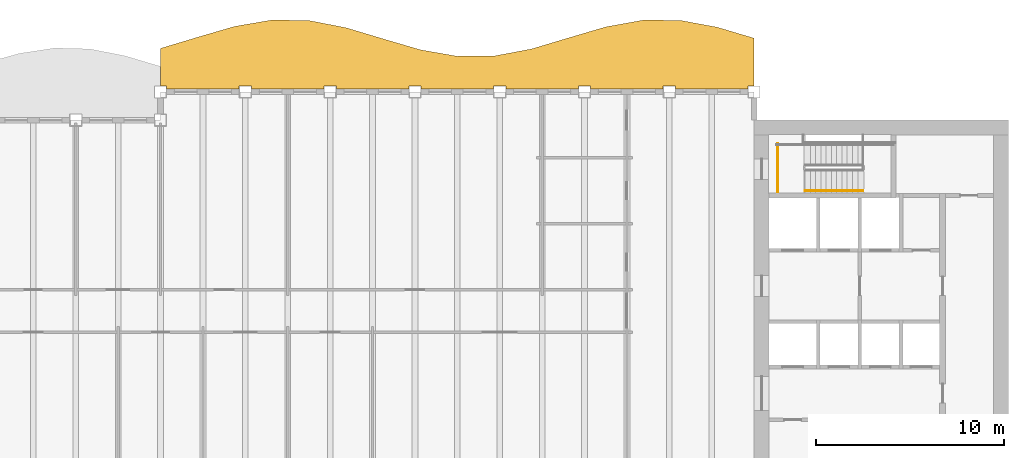
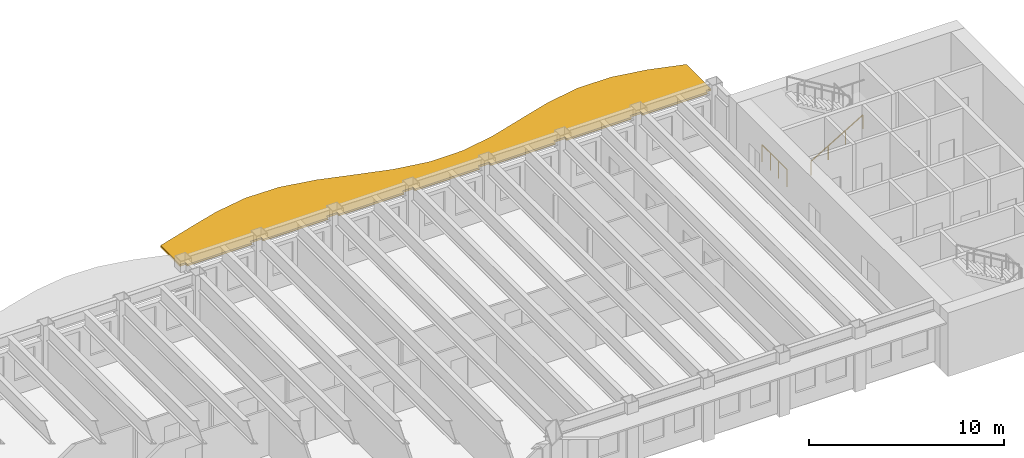
# One storey, part 11 of 12: 2 railings, 1 shading device.
"""IFC4 building model written with IfcOpenShell, lengths in metres."""

from ifc_helpers import new_model, si_unit, direction, frame, origin, origin_2d, place, context, subcontext, project, spatial, polyline, rectangle, outline, extrude, material, layer, layer_set, type_object, element, save


model = new_model("IFC4")

# Units and contexts
model_context = context("Model", 3, precision=1e-05, world=origin(), true_north=direction((0.0, 1.0)))
body_context = subcontext(model_context, "Body", "Model", "MODEL_VIEW")
ifc_project = project(units=[si_unit("LENGTHUNIT", "METRE"), si_unit("AREAUNIT", "SQUARE_METRE"), si_unit("VOLUMEUNIT", "CUBIC_METRE"), si_unit("PLANEANGLEUNIT", "RADIAN"), si_unit("MASSUNIT", "GRAM", prefix="KILO")], contexts=[model_context])

# Site, building, storey
site_placement = place(None, origin())
site = spatial("IfcSite", under=ifc_project, at=site_placement, CompositionType="ELEMENT")
building_placement = place(site_placement, origin())
building = spatial("IfcBuilding", under=site, at=building_placement, Name="Sennacour Bend Tower", CompositionType="ELEMENT")
storey_placement = place(building_placement, frame((0.0, 0.0, 261.0)))
storey = spatial("IfcBuildingStorey", under=building, at=storey_placement, Name="L60", CompositionType="ELEMENT", Elevation=261.0)

# Railings
ifc_material_1 = material(Name="Stainless steel", Category="steel")
railing_type_1 = type_object("IfcRailingType", Name="RL-GUARD-1100", PredefinedType="GUARDRAIL", material=ifc_material_1)
railing_1_placement = place(storey_placement, frame((55.25, 18.699951171875, 0.0)))
element("IfcRailing", 1, at=railing_1_placement, inside=storey, type_object=railing_type_1, Name="L60 SA2 stair guard 7", PredefinedType="GUARDRAIL", context=body_context, shape_type="SweptSolid", body=[
    extrude(rectangle(XDim=0.048095703125, YDim=0.048095703125, at=origin_2d()), frame((0.0, 0.0, 1.076171875), z_axis=(0.0, 1.0, 0.0), x_axis=(-1.0, 0.0, 0.0)), (0.0, 0.0, 1.0), 2.550048828125),
    extrude(rectangle(XDim=0.0419921875, YDim=0.0419921875, at=origin_2d()), origin(), (0.0, 0.0, 1.0), 1.052001953125),
    extrude(rectangle(XDim=0.0419921875, YDim=0.0419921875, at=origin_2d()), frame((0.0, 0.85009765625, 0.0)), (0.0, 0.0, 1.0), 1.052001953125),
    extrude(rectangle(XDim=0.0419921875, YDim=0.0419921875, at=origin_2d()), frame((0.0, 1.699951171875, 0.0)), (0.0, 0.0, 1.0), 1.052001953125),
    extrude(rectangle(XDim=0.0419921875, YDim=0.0419921875, at=origin_2d()), frame((0.0, 2.550048828125, 0.0)), (0.0, 0.0, 1.0), 1.052001953125),
])
railing_type_2 = type_object("IfcRailingType", Name="RL-HANDRAIL-900", PredefinedType="HANDRAIL", material=ifc_material_1)
railing_2_placement = place(storey_placement, frame((56.699951171875, 18.75, 0.166748046875)))
element("IfcRailing", 2, at=railing_2_placement, inside=storey, type_object=railing_type_2, Name="L60 SA2 stair handrail 1", PredefinedType="HANDRAIL", context=body_context, shape_type="SweptSolid", body=[
    extrude(rectangle(XDim=0.048095703125, YDim=0.048095703125, at=origin_2d()), frame((0.0, 0.0, 0.8759765625), z_axis=(0.859308565015, 0.0, 0.511457515432), x_axis=(0.0, 1.0, 0.0)), (0.0, 0.0, 1.0), 3.58447265625),
    extrude(rectangle(XDim=0.0419921875, YDim=0.0419921875, at=origin_2d()), origin(), (0.0, 0.0, 1.0), 0.851806640625),
    extrude(rectangle(XDim=0.0419921875, YDim=0.0419921875, at=origin_2d()), frame((1.026611328125, 0.0, 0.611083984375)), (0.0, 0.0, 1.0), 0.851806640625),
    extrude(rectangle(XDim=0.0419921875, YDim=0.0419921875, at=origin_2d()), frame((2.053466796875, 0.0, 1.22216796875)), (0.0, 0.0, 1.0), 0.851806640625),
    extrude(rectangle(XDim=0.0419921875, YDim=0.0419921875, at=origin_2d()), frame((3.080078125, 0.0, 1.833251953125)), (0.0, 0.0, 1.0), 0.851806640625),
])

# Shading device
ifc_material_2 = material(Name="Bronze anodised aluminium", Category="aluminium")
ifc_layer = layer(ifc_material_2, 0.1201171875, Name="Bronze anodised aluminium", Category="aluminium")
ifc_layer_set = layer_set([ifc_layer], Name="Bronze anodised aluminium")
shading_device_type = type_object("IfcShadingDeviceType", Name="SUNSHADE BAND WAVE", PredefinedType="USERDEFINED", material=ifc_layer_set)
shading_device_placement = place(storey_placement, frame((0.0, 0.0, 3.0419921875)))
element("IfcShadingDevice", 3, at=shading_device_placement, inside=storey, type_object=shading_device_type, Name="Sunshade band L60 concave faces", ObjectType="SUNSHADE", PredefinedType="USERDEFINED", context=body_context, shape_type="SweptSolid", body=[
    extrude(outline(polyline([(53.675048828125, 24.14990234375), (49.824951171875, 24.14990234375), (49.824951171875, 24.324951171875), (49.175048828125, 24.324951171875), (49.175048828125, 24.14990234375), (45.324951171875, 24.14990234375), (45.324951171875, 24.324951171875), (44.675048828125, 24.324951171875), (44.675048828125, 24.14990234375), (40.824951171875, 24.14990234375), (40.824951171875, 24.324951171875), (40.175048828125, 24.324951171875), (40.175048828125, 24.14990234375), (36.324951171875, 24.14990234375), (36.324951171875, 24.324951171875), (35.675048828125, 24.324951171875), (35.675048828125, 24.14990234375), (31.824951171875, 24.14990234375), (31.824951171875, 24.324951171875), (31.175048828125, 24.324951171875), (31.175048828125, 24.14990234375), (27.324951171875, 24.14990234375), (27.324951171875, 24.324951171875), (26.675048828125, 24.324951171875), (26.675048828125, 24.14990234375), (22.824951171875, 24.14990234375), (22.824951171875, 24.324951171875), (22.5, 24.324951171875), (22.5, 26.309326171875), (24.46875, 26.903564453125), (26.4375, 27.4775390625), (28.40625, 27.814453125), (30.375, 27.786865234375), (32.34375, 27.405517578125), (34.3125, 26.814208984375), (36.28125, 26.236572265625), (38.25, 25.890380859375), (40.21875, 25.906982421875), (42.1875, 26.27978515625), (44.15625, 26.867919921875), (46.125, 27.44921875), (48.09375, 27.80419921875), (50.0625, 27.798828125), (52.03125, 27.434814453125), (54.0, 26.85009765625), (54.0, 24.324951171875), (53.675048828125, 24.324951171875), (53.675048828125, 24.14990234375)])), origin(), (0.0, 0.0, 1.0), 0.1201171875),
])

save(model, "model.ifc")
